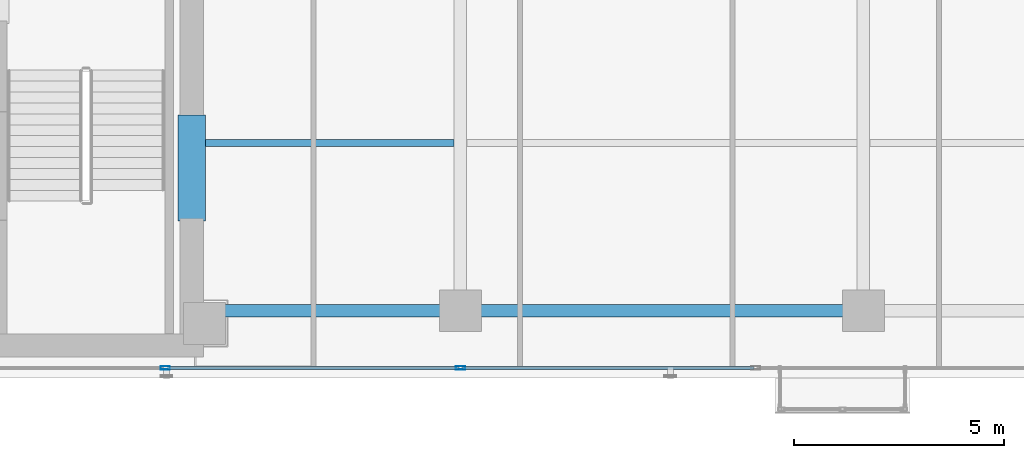
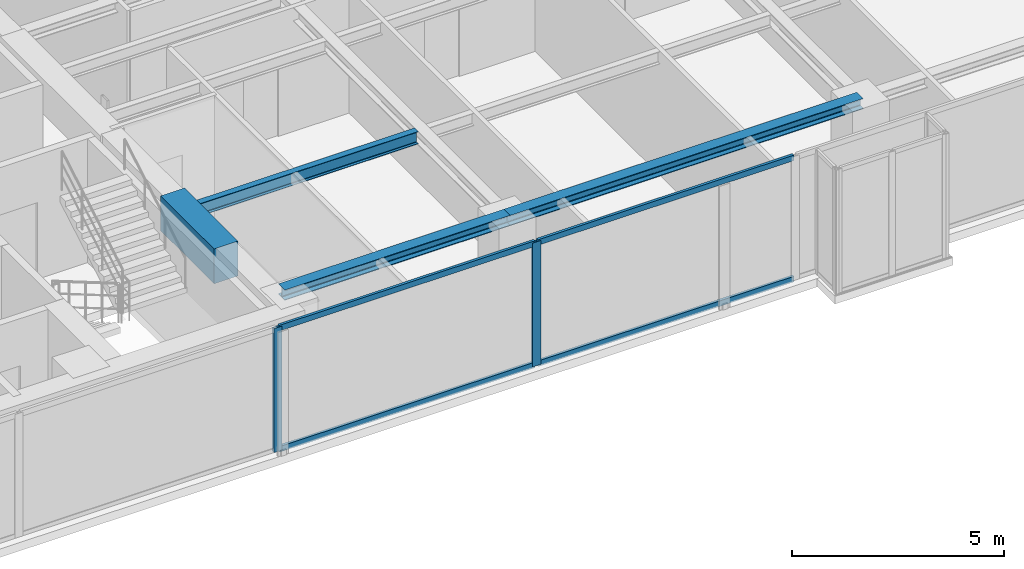
# One storey, part 4 of 24: 6 members, 4 beams, 1 element without a shape of its own.
"""IFC4 building model written with IfcOpenShell, lengths in metres."""

import ifcopenshell
import ifcopenshell.guid

model = None  # the IFC model being written
_history = None  # IfcOwnerHistory: only IFC2X3 demands one
_inside = {}  # id of a spatial element -> (the spatial element, [elements in it])
_under = {}  # id of a project, library or spatial element -> (it, [spatial elements below it])
_declared = {}  # id of a project -> (the project, [libraries it declares])
_typed = {}  # id of a type object -> (the type object, [elements of that type])
_made_of = {}  # id of a material, layer set ... -> (it, [elements and type objects made of it])


def new_model(schema):
    """Start an empty IFC model of exactly this schema.

    Asked for "IFC4X3", IfcOpenShell would pick the latest addendum, in which some entities
    have other attributes; the version numbers below select the first issue.
    IFC2X3 requires an IfcOwnerHistory on every rooted entity: one is made here for all.
    """
    global model, _history
    if schema == "IFC4X3":
        model = ifcopenshell.file(schema_version=(4, 3, 0, 0))
    else:
        model = ifcopenshell.file(schema=schema)
    _inside.clear()
    _under.clear()
    _declared.clear()
    _typed.clear()
    _made_of.clear()
    _history = None
    if model.schema == "IFC2X3":
        org = make("IfcOrganization", Name="unknown")
        user = make(
            "IfcPersonAndOrganization",
            ThePerson=make("IfcPerson", FamilyName="unknown"),
            TheOrganization=org,
        )
        app = make(
            "IfcApplication",
            ApplicationDeveloper=org,
            Version="unknown",
            ApplicationFullName="unknown",
            ApplicationIdentifier="unknown",
        )
        _history = make(
            "IfcOwnerHistory",
            OwningUser=user,
            OwningApplication=app,
            ChangeAction="ADDED",
            CreationDate=0,
        )
    return model


def make(cls, **values):
    """One entity of the class cls with the attributes given. An attribute that is None is left unset."""
    return model.create_entity(
        cls, **{name: value for name, value in values.items() if value is not None}
    )


def rooted(cls, **values):
    """An entity with a GlobalId (a new one), such as an element, a storey or a relation."""
    return make(cls, GlobalId=ifcopenshell.guid.new(), OwnerHistory=_history, **values)


def si_unit(unit_type, name, prefix=None):
    """IfcSIUnit, for example si_unit("LENGTHUNIT", "METRE", prefix="MILLI")."""
    return make("IfcSIUnit", UnitType=unit_type, Prefix=prefix, Name=name)


def assignment(units):
    """IfcUnitAssignment: the units of a project."""
    return None if units is None else make("IfcUnitAssignment", Units=units)


def point(xyz):
    """IfcCartesianPoint."""
    return None if xyz is None else make("IfcCartesianPoint", Coordinates=xyz)


def direction(xyz):
    """IfcDirection."""
    return None if xyz is None else make("IfcDirection", DirectionRatios=xyz)


def frame(location, z_axis=None, x_axis=None):
    """IfcAxis2Placement3D, a coordinate frame: its origin and axes. An axis left out is left unset."""
    return make(
        "IfcAxis2Placement3D",
        Location=point(location),
        Axis=direction(z_axis),
        RefDirection=direction(x_axis),
    )


def frame_2d(location, x_axis=None):
    """IfcAxis2Placement2D, a coordinate frame in the plane: its origin and x axis."""
    return make(
        "IfcAxis2Placement2D", Location=point(location), RefDirection=direction(x_axis)
    )


def origin():
    """The frame at (0, 0, 0) with its axes left unset."""
    return frame((0.0, 0.0, 0.0))


def origin_with_axes():
    """The frame at (0, 0, 0) with the z axis (0, 0, 1) and the x axis (1, 0, 0) written out."""
    return frame((0.0, 0.0, 0.0), z_axis=(0.0, 0.0, 1.0), x_axis=(1.0, 0.0, 0.0))


def origin_2d():
    """The frame at (0, 0) in the plane with its x axis left unset."""
    return frame_2d((0.0, 0.0))


def place(relative_to, where):
    """IfcLocalPlacement: puts the frame where relative to a parent placement (None: the world)."""
    return make(
        "IfcLocalPlacement", PlacementRelTo=relative_to, RelativePlacement=where
    )


def context(
    kind, dimensions, precision=None, world=None, true_north=None, identifier=None
):
    """IfcGeometricRepresentationContext, for example the 3D "Model" context."""
    return make(
        "IfcGeometricRepresentationContext",
        ContextIdentifier=identifier,
        ContextType=kind,
        CoordinateSpaceDimension=dimensions,
        Precision=precision,
        WorldCoordinateSystem=world,
        TrueNorth=true_north,
    )


def subcontext(parent, identifier, kind, view, scale=None):
    """IfcGeometricRepresentationSubContext, for example "Body" below "Model"."""
    return make(
        "IfcGeometricRepresentationSubContext",
        ContextIdentifier=identifier,
        ContextType=kind,
        ParentContext=parent,
        TargetScale=scale,
        TargetView=view,
    )


def project(units=None, contexts=None):
    """IfcProject with its units and contexts."""
    return rooted(
        "IfcProject",
        Name="project",
        RepresentationContexts=contexts,
        UnitsInContext=assignment(units),
    )


def spatial(cls, under=None, at=None, **own):
    """A site, building, storey or space (cls), placed at a placement, below another one or the project."""
    s = rooted(cls, ObjectPlacement=at, **own)
    if under is not None:
        _under.setdefault(under.id(), (under, []))[1].append(s)
    return s


def profile(cls, at=None, kind="AREA", **sizes):
    """A parametric profile (cls). Its sizes go by their IFC names, for example OverallWidth=200.0."""
    return make(cls, ProfileType=kind, Position=at, **sizes)


def rectangle(**sizes):
    """IfcRectangleProfileDef."""
    return profile("IfcRectangleProfileDef", **sizes)


def hollow_rectangle(**sizes):
    """IfcRectangleHollowProfileDef."""
    return profile("IfcRectangleHollowProfileDef", **sizes)


def i_section(**sizes):
    """IfcIShapeProfileDef."""
    return profile("IfcIShapeProfileDef", **sizes)


def extrude(swept, where, along, depth):
    """IfcExtrudedAreaSolid: the profile swept, set in the frame where, extruded along a direction by depth."""
    return make(
        "IfcExtrudedAreaSolid",
        SweptArea=swept,
        Position=where,
        ExtrudedDirection=direction(along),
        Depth=depth,
    )


def shape(context_of_items, identifier, shape_type, items):
    """IfcShapeRepresentation: the items that make up one representation, for example the "Body"."""
    return make(
        "IfcShapeRepresentation",
        ContextOfItems=context_of_items,
        RepresentationIdentifier=identifier,
        RepresentationType=shape_type,
        Items=items,
    )


def source(mapping_origin, context_of_items, identifier, shape_type, items):
    """IfcRepresentationMap: a shape defined once, which mapped items show again and again."""
    return make(
        "IfcRepresentationMap",
        MappingOrigin=mapping_origin,
        MappedRepresentation=shape(context_of_items, identifier, shape_type, items),
    )


def transform(
    local_origin,
    x_axis=None,
    y_axis=None,
    z_axis=None,
    scale=None,
    scale2=None,
    scale3=None,
    uniform=True,
):
    """IfcCartesianTransformationOperator3D, or its non-uniform kind. x_axis, y_axis, z_axis: its Axis1, 2, 3."""
    if uniform:
        return make(
            "IfcCartesianTransformationOperator3D",
            Axis1=direction(x_axis),
            Axis2=direction(y_axis),
            LocalOrigin=point(local_origin),
            Scale=scale,
            Axis3=direction(z_axis),
        )
    return make(
        "IfcCartesianTransformationOperator3DnonUniform",
        Axis1=direction(x_axis),
        Axis2=direction(y_axis),
        LocalOrigin=point(local_origin),
        Scale=scale,
        Axis3=direction(z_axis),
        Scale2=scale2,
        Scale3=scale3,
    )


def mapped(mapping_source, mapping_target):
    """IfcMappedItem: shows the shape of a source again, moved by a transform."""
    return make(
        "IfcMappedItem", MappingSource=mapping_source, MappingTarget=mapping_target
    )


def material(Name=None, Category=None):
    """IfcMaterial."""
    return make("IfcMaterial", Name=Name, Category=Category)


def layer(
    of_material, thickness, ventilated=None, Name=None, Category=None, Priority=None
):
    """IfcMaterialLayer: one layer of a wall or slab, of a material (None: an air gap)."""
    return make(
        "IfcMaterialLayer",
        Material=of_material,
        LayerThickness=thickness,
        IsVentilated=ventilated,
        Name=Name,
        Category=Category,
        Priority=Priority,
    )


def layer_set(layers, Name=None):
    """IfcMaterialLayerSet."""
    return make("IfcMaterialLayerSet", MaterialLayers=layers, LayerSetName=Name)


def material_profile(
    of_material, cross_section, Name=None, Category=None, Priority=None
):
    """IfcMaterialProfile: a cross section and its material."""
    return make(
        "IfcMaterialProfile",
        Name=Name,
        Material=of_material,
        Profile=cross_section,
        Priority=Priority,
        Category=Category,
    )


def profile_set(profiles, Name=None, composite=None):
    """IfcMaterialProfileSet."""
    return make(
        "IfcMaterialProfileSet",
        Name=Name,
        MaterialProfiles=profiles,
        CompositeProfile=composite,
    )


def made_of(thing, what):
    """Note that an element or type object is made of a material, layer set ...; save() writes the relation."""
    if what is not None:
        _made_of.setdefault(what.id(), (what, []))[1].append(thing)
    return thing


def type_object(cls, material=None, **own):
    """A type object (cls), such as IfcWallType, which elements share."""
    return made_of(rooted(cls, **own), material)


def element(
    cls,
    number,
    at=None,
    inside=None,
    cuts=None,
    type_object=None,
    material=None,
    context=None,
    identifier="Body",
    shape_type=None,
    held_by="IfcProductDefinitionShape",
    body=None,
    shapes=None,
    **own,
):
    """One element of the class cls, such as IfcWall. Its Tag is "e" and its number.

    at: its placement. inside: the storey or other place that contains it. cuts: it is an
    opening in that element (IfcRelVoidsElement). A single representation is given by context,
    identifier, shape_type and body (its items); several are given by shapes. held_by: the class
    of the entity that holds the representations. save() writes the other relations.
    """
    e = rooted(cls, Tag="e%d" % number, ObjectPlacement=at, **own)
    if body is not None:
        shapes = [shape(context, identifier, shape_type, body)]
    if shapes is not None:
        e.Representation = make(held_by, Representations=shapes)
    if inside is not None:
        _inside.setdefault(inside.id(), (inside, []))[1].append(e)
    if cuts is not None:
        rooted(
            "IfcRelVoidsElement", RelatingBuildingElement=cuts, RelatedOpeningElement=e
        )
    if type_object is not None:
        _typed.setdefault(type_object.id(), (type_object, []))[1].append(e)
    return made_of(e, material)


def aggregate(whole, parts):
    """IfcRelAggregates: a whole, such as a stair, and the parts it consists of."""
    return rooted("IfcRelAggregates", RelatingObject=whole, RelatedObjects=parts)


def save(model, path):
    """Write the relations noted so far, then the file.

    IfcRelAggregates (storeys below a building ...), IfcRelContainedInSpatialStructure (elements
    in a storey), IfcRelDefinesByType, IfcRelAssociatesMaterial and IfcRelDeclares: one each for
    every whole, place, type object, material and project.
    """
    for whole, parts in _under.values():
        aggregate(whole, parts)
    for where, things in _inside.values():
        rooted(
            "IfcRelContainedInSpatialStructure",
            RelatedElements=things,
            RelatingStructure=where,
        )
    for kind, things in _typed.values():
        rooted("IfcRelDefinesByType", RelatedObjects=things, RelatingType=kind)
    for what, things in _made_of.values():
        rooted("IfcRelAssociatesMaterial", RelatedObjects=things, RelatingMaterial=what)
    for by, libraries in _declared.values():
        rooted("IfcRelDeclares", RelatingContext=by, RelatedDefinitions=libraries)
    model.write(path)


model = new_model("IFC4")

# Units and contexts
model_context = context("Model", 3, precision=1e-05, world=origin(), true_north=direction((0.0, 1.0)))
body_context = subcontext(model_context, "Body", "Model", "MODEL_VIEW")
ifc_project = project(units=[si_unit("LENGTHUNIT", "METRE"), si_unit("AREAUNIT", "SQUARE_METRE"), si_unit("VOLUMEUNIT", "CUBIC_METRE"), si_unit("PLANEANGLEUNIT", "RADIAN"), si_unit("MASSUNIT", "GRAM", prefix="KILO")], contexts=[model_context])

# Site, building, storey
site_placement = place(None, origin())
site = spatial("IfcSite", under=ifc_project, at=site_placement, CompositionType="ELEMENT")
building_placement = place(site_placement, origin())
building = spatial("IfcBuilding", under=site, at=building_placement, Name="Kolvaren Waterfront Exchange", CompositionType="ELEMENT")
storey_placement = place(building_placement, frame((0.0, 0.0, 208.300048828125)))
storey = spatial("IfcBuildingStorey", under=building, at=storey_placement, Name="L53", CompositionType="ELEMENT", Elevation=208.300048828125)

# Beams
ifc_material_1 = material(Name="Steel S355", Category="steel")
ifc_material_profile_1 = material_profile(ifc_material_1, i_section(OverallWidth=0.300048828125, OverallDepth=0.300048828125, WebThickness=0.010986328125, FlangeThickness=0.01904296875, FilletRadius=0.027099609375, at=origin_2d()), Name="HEB300")
ifc_profile_set_1 = profile_set([ifc_material_profile_1], Name="Steel S355")
beam_type_1 = type_object("IfcBeamType", Name="STR-BM-HEB300", PredefinedType="SPANDREL", material=ifc_profile_set_1)
beam_1_placement = place(storey_placement, frame((21.074951171875, 5.199951171875, 3.409912109375), z_axis=(1.0, 0.0, 0.0), x_axis=(0.0, 1.0, 0.0)))
element("IfcBeam", 1, at=beam_1_placement, inside=storey, type_object=beam_type_1, Name="L53 east-arm spandrel S1", PredefinedType="SPANDREL", context=body_context, shape_type="SweptSolid", body=[
    extrude(i_section(OverallWidth=0.300048828125, OverallDepth=0.300048828125, WebThickness=0.010986328125, FlangeThickness=0.01904296875, FilletRadius=0.027099609375, at=origin_2d()), origin(), (0.0, 0.0, 1.0), 6.125),
])
beam_2_placement = place(storey_placement, frame((27.199951171875, 5.199951171875, 3.409912109375), z_axis=(1.0, 0.0, 0.0), x_axis=(0.0, 1.0, 0.0)))
element("IfcBeam", 2, at=beam_2_placement, inside=storey, type_object=beam_type_1, Name="L53 east-arm spandrel S2", PredefinedType="SPANDREL", context=body_context, shape_type="SweptSolid", body=[
    extrude(i_section(OverallWidth=0.300048828125, OverallDepth=0.300048828125, WebThickness=0.010986328125, FlangeThickness=0.01904296875, FilletRadius=0.027099609375, at=origin_2d()), origin(), (0.0, 0.0, 1.0), 9.60009765625),
])
ifc_material_profile_2 = material_profile(ifc_material_1, i_section(OverallWidth=0.169921875, OverallDepth=0.360107421875, WebThickness=0.008056640625, FlangeThickness=0.0126953125, FilletRadius=0.01806640625, at=origin_2d()), Name="IPE360")
ifc_profile_set_2 = profile_set([ifc_material_profile_2], Name="Steel S355")
beam_type_2 = type_object("IfcBeamType", Name="STR-BM-IPE360", PredefinedType="JOIST", material=ifc_profile_set_2)
beam_3_placement = place(storey_placement, frame((21.10009765625, 9.199951171875, 3.3798828125), z_axis=(1.0, 0.0, 0.0), x_axis=(0.0, 1.0, 0.0)))
element("IfcBeam", 3, at=beam_3_placement, inside=storey, type_object=beam_type_2, Name="L53 east-arm composite joist 1B", PredefinedType="JOIST", context=body_context, shape_type="SweptSolid", body=[
    extrude(i_section(OverallWidth=0.169921875, OverallDepth=0.360107421875, WebThickness=0.008056640625, FlangeThickness=0.0126953125, FilletRadius=0.01806640625, at=origin_2d()), origin(), (0.0, 0.0, 1.0), 5.947998046875),
])
ifc_material_2 = material(Name="Concrete C60/75", Category="concrete")
ifc_material_profile_3 = material_profile(ifc_material_2, rectangle(XDim=0.64990234375, YDim=1.0, at=origin_2d()), Name="RC-CB-1000x650")
ifc_profile_set_3 = profile_set([ifc_material_profile_3], Name="Concrete C60/75")
beam_type_3 = type_object("IfcBeamType", Name="STR-CB-1000", PredefinedType="SPANDREL", material=ifc_profile_set_3)
beam_4_placement = place(storey_placement, frame((20.800048828125, 7.340087890625, 3.06005859375), z_axis=(0.0, 1.0, 0.0), x_axis=(-1.0, 0.0, 0.0)))
element("IfcBeam", 4, at=beam_4_placement, inside=storey, type_object=beam_type_3, Name="L53 core coupling beam 1", PredefinedType="SPANDREL", context=body_context, shape_type="SweptSolid", body=[
    extrude(rectangle(XDim=0.64990234375, YDim=1.0, at=origin_2d()), origin(), (0.0, 0.0, 1.0), 2.52001953125),
])

# Curtain wall, members
ifc_material_3 = material(Name="Anodised bronze aluminium 6063-T6", Category="aluminium")
ifc_layer = layer(ifc_material_3, 0.219970703125, Name="Anodised bronze aluminium 6063-T6")
ifc_layer_set = layer_set([ifc_layer], Name="Anodised bronze aluminium 6063-T6")
curtain_wall_type = type_object("IfcCurtainWallType", Name="ARC-CW-SYS1", PredefinedType="USERDEFINED", material=ifc_layer_set)
curtain_wall_placement = place(storey_placement, origin())
curtain_wall = element("IfcCurtainWall", 5, at=curtain_wall_placement, inside=storey, type_object=curtain_wall_type, Name="L53 stick curtain wall CW1 (CW-L53-S)", ObjectType="STICK CURTAIN WALL", PredefinedType="USERDEFINED")
ifc_material_4 = material(Name="Anodised aluminium 6063-T6", Category="aluminium")
ifc_material_profile_4 = material_profile(ifc_material_4, hollow_rectangle(XDim=0.080078125, YDim=0.219970703125, WallThickness=0.0048828125, at=origin_2d()), Name="ALU-MUL-220x80x5")
ifc_profile_set_4 = profile_set([ifc_material_profile_4], Name="Anodised aluminium 6063-T6")
member_type_1 = type_object("IfcMemberType", Name="ARC-CWM-220", PredefinedType="MULLION", material=ifc_profile_set_4)
shared_shape_1 = source(origin_with_axes(), body_context, "Body", "SweptSolid", [
    extrude(hollow_rectangle(XDim=0.080078125, YDim=0.219970703125, WallThickness=0.0048828125, at=origin_2d()), origin(), (0.0, 0.0, 1.0), 3.56005859375),
])
member_1_placement = place(storey_placement, frame((20.166748046875, 3.840087890625, 0.0), z_axis=(0.0, 0.0, 1.0), x_axis=(0.0, 1.0, 0.0)))
member_1 = element("IfcMember", 6, at=member_1_placement, type_object=member_type_1, Name="CW1 mullion 3", PredefinedType="MULLION", context=body_context, shape_type="MappedRepresentation", body=[
    mapped(shared_shape_1, transform((0.0, 0.0, 0.0), x_axis=(1.0, 0.0, 0.0), y_axis=(0.0, 1.0, 0.0), z_axis=(0.0, 0.0, 1.0), scale=1.0)),
])
member_2_placement = place(storey_placement, frame((27.199951171875, 3.840087890625, 0.0), z_axis=(0.0, 0.0, 1.0), x_axis=(0.0, 1.0, 0.0)))
member_2 = element("IfcMember", 7, at=member_2_placement, type_object=member_type_1, Name="CW1 mullion 4", PredefinedType="MULLION", context=body_context, shape_type="MappedRepresentation", body=[
    mapped(shared_shape_1, transform((0.0, 0.0, 0.0), x_axis=(1.0, 0.0, 0.0), y_axis=(0.0, 1.0, 0.0), z_axis=(0.0, 0.0, 1.0), scale=1.0)),
])
ifc_material_profile_5 = material_profile(ifc_material_4, hollow_rectangle(XDim=0.074951171875, YDim=0.159912109375, WallThickness=0.00439453125, at=origin_2d()), Name="ALU-TRN-160x75x4.5")
ifc_profile_set_5 = profile_set([ifc_material_profile_5], Name="Anodised aluminium 6063-T6")
member_type_2 = type_object("IfcMemberType", Name="ARC-CWT-160", PredefinedType="USERDEFINED", material=ifc_profile_set_5)
shared_shape_2 = source(origin_with_axes(), body_context, "Body", "SweptSolid", [
    extrude(hollow_rectangle(XDim=0.074951171875, YDim=0.159912109375, WallThickness=0.00439453125, at=origin_2d()), origin(), (0.0, 0.0, 1.0), 6.953369140625),
])
member_3_placement = place(storey_placement, frame((27.239990234375, 3.840087890625, 0.037353515625), z_axis=(1.0, 0.0, 0.0), x_axis=(0.0, 1.0, 0.0)))
member_3 = element("IfcMember", 8, at=member_3_placement, type_object=member_type_2, Name="CW1 transom 4.1", ObjectType="TRANSOM", PredefinedType="USERDEFINED", context=body_context, shape_type="MappedRepresentation", body=[
    mapped(shared_shape_2, transform((0.0, 0.0, 0.0), x_axis=(1.0, 0.0, 0.0), y_axis=(0.0, 1.0, 0.0), z_axis=(0.0, 0.0, 1.0), scale=1.0)),
])
member_4_placement = place(storey_placement, frame((27.239990234375, 3.840087890625, 3.5224609375), z_axis=(1.0, 0.0, 0.0), x_axis=(0.0, 1.0, 0.0)))
member_4 = element("IfcMember", 9, at=member_4_placement, type_object=member_type_2, Name="CW1 transom 4.2", ObjectType="TRANSOM", PredefinedType="USERDEFINED", context=body_context, shape_type="MappedRepresentation", body=[
    mapped(shared_shape_2, transform((0.0, 0.0, 0.0), x_axis=(1.0, 0.0, 0.0), y_axis=(0.0, 1.0, 0.0), z_axis=(0.0, 0.0, 1.0), scale=1.0)),
])
shared_shape_3 = source(origin_with_axes(), body_context, "Body", "SweptSolid", [
    extrude(hollow_rectangle(XDim=0.074951171875, YDim=0.159912109375, WallThickness=0.00439453125, at=origin_2d()), origin(), (0.0, 0.0, 1.0), 6.953125),
])
member_5_placement = place(storey_placement, frame((20.206787109375, 3.840087890625, 0.037353515625), z_axis=(1.0, 0.0, 0.0), x_axis=(0.0, 1.0, 0.0)))
member_5 = element("IfcMember", 10, at=member_5_placement, type_object=member_type_2, Name="CW1 transom 3.1", ObjectType="TRANSOM", PredefinedType="USERDEFINED", context=body_context, shape_type="MappedRepresentation", body=[
    mapped(shared_shape_3, transform((0.0, 0.0, 0.0), x_axis=(1.0, 0.0, 0.0), y_axis=(0.0, 1.0, 0.0), z_axis=(0.0, 0.0, 1.0), scale=1.0)),
])
member_6_placement = place(storey_placement, frame((20.206787109375, 3.840087890625, 3.5224609375), z_axis=(1.0, 0.0, 0.0), x_axis=(0.0, 1.0, 0.0)))
member_6 = element("IfcMember", 11, at=member_6_placement, type_object=member_type_2, Name="CW1 transom 3.2", ObjectType="TRANSOM", PredefinedType="USERDEFINED", context=body_context, shape_type="MappedRepresentation", body=[
    mapped(shared_shape_3, transform((0.0, 0.0, 0.0), x_axis=(1.0, 0.0, 0.0), y_axis=(0.0, 1.0, 0.0), z_axis=(0.0, 0.0, 1.0), scale=1.0)),
])
aggregate(curtain_wall, [member_1, member_2, member_5, member_6, member_3, member_4])

save(model, "model.ifc")
